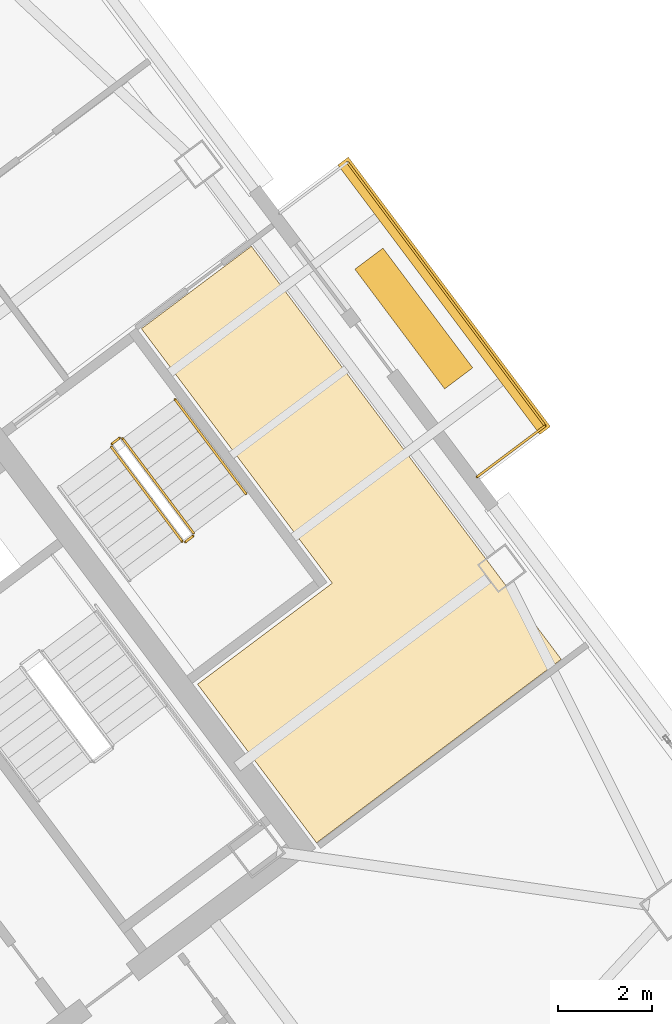
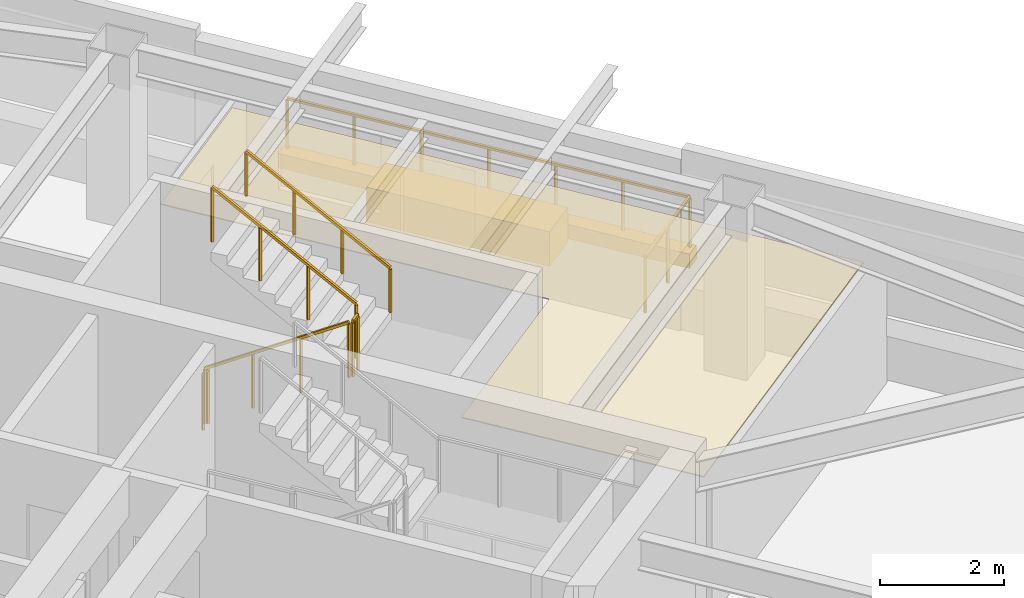
# One storey, part 38 of 39: 7 railings, 3 coverings.
"""IFC4 building model written with IfcOpenShell, lengths in metres."""

from ifc_helpers import new_model, si_unit, direction, frame, origin, origin_2d, place, context, subcontext, project, spatial, polyline, rectangle, outline, extrude, material, layer, layer_set, type_object, element, save


model = new_model("IFC4")

# Units and contexts
model_context = context("Model", 3, precision=1e-05, world=origin(), true_north=direction((0.0, 1.0)))
body_context = subcontext(model_context, "Body", "Model", "MODEL_VIEW")
ifc_project = project(units=[si_unit("LENGTHUNIT", "METRE"), si_unit("AREAUNIT", "SQUARE_METRE"), si_unit("VOLUMEUNIT", "CUBIC_METRE"), si_unit("PLANEANGLEUNIT", "RADIAN"), si_unit("MASSUNIT", "GRAM", prefix="KILO")], contexts=[model_context])

# Site, building, storey
site_placement = place(None, origin())
site = spatial("IfcSite", under=ifc_project, at=site_placement, CompositionType="ELEMENT")
building_placement = place(site_placement, origin())
building = spatial("IfcBuilding", under=site, at=building_placement, Name="Tashvorn Skyway Center", CompositionType="ELEMENT")
storey_placement = place(building_placement, frame((0.0, 0.0, 214.85009765625)))
storey = spatial("IfcBuildingStorey", under=building, at=storey_placement, Name="L58", CompositionType="ELEMENT", Elevation=214.85009765625)

# Coverings
ifc_material_1 = material(Name="Mineral-fibre acoustic ceiling tile on suspended grid")
ifc_layer_1 = layer(ifc_material_1, 0.02001953125)
ifc_layer_set_1 = layer_set([ifc_layer_1], Name="Mineral-fibre acoustic ceiling tile on suspended grid")
covering_type_1 = type_object("IfcCoveringType", Name="COV-CEIL-20", PredefinedType="CEILING", material=ifc_layer_set_1)
covering_1_placement = place(storey_placement, frame((0.0, 0.0, 2.702880859375)))
element("IfcCovering", 1, at=covering_1_placement, inside=storey, type_object=covering_type_1, Name="Tower 2 L58 Catering Pantry Acoustic Ceiling", PredefinedType="CEILING", context=body_context, shape_type="SweptSolid", body=[
    extrude(outline(polyline([(125.159912109375, 30.719970703125), (122.615966796875, 34.112060546875), (125.49609375, 36.27197265625), (121.416015625, 41.7119140625), (123.76806640625, 43.47607421875), (127.847900390625, 38.035888671875), (130.39208984375, 34.64404296875), (125.159912109375, 30.719970703125)])), origin(), (0.0, 0.0, 1.0), 0.02001953125),
])
ifc_material_2 = material(Name="Precast concrete C40/50", Category="concrete")
ifc_layer_2 = layer(ifc_material_2, 0.35009765625)
ifc_layer_set_2 = layer_set([ifc_layer_2], Name="Precast concrete C40/50")
covering_type_2 = type_object("IfcCoveringType", Name="COV-STONE-TRIM", PredefinedType="CLADDING", material=ifc_layer_set_2)
covering_2_placement = place(storey_placement, frame((127.887939453125, 42.416015625, -0.16015625), z_axis=(0.0, 0.0, 1.0), x_axis=(0.600000004945, -0.799999996291, 0.0)))
element("IfcCovering", 2, at=covering_2_placement, inside=storey, type_object=covering_type_2, Name="Tower 2 L58 Spiral Terrace Terracotta Fascia", PredefinedType="CLADDING", context=body_context, shape_type="SweptSolid", body=[
    extrude(rectangle(XDim=7.199951171875, YDim=0.280029296875, at=origin_2d()), origin(), (0.0, 0.0, 1.0), 0.280029296875),
])
covering_3_placement = place(storey_placement, frame((127.239990234375, 41.929931640625, 0.0), z_axis=(0.0, 0.0, 1.0), x_axis=(0.600000004945, -0.799999996291, 0.0)))
element("IfcCovering", 3, at=covering_3_placement, inside=storey, type_object=covering_type_2, Name="Tower 2 L58 Spiral Terrace Planter", PredefinedType="CLADDING", context=body_context, shape_type="SweptSolid", body=[
    extrude(rectangle(XDim=3.199951171875, YDim=0.75, at=origin_2d()), origin(), (0.0, 0.0, 1.0), 0.679931640625),
])

# Railings
ifc_material_3 = material(Name="Galvanized steel S355", Category="steel")
railing_type_1 = type_object("IfcRailingType", Name="RAIL-GUARD-1120", PredefinedType="GUARDRAIL", material=ifc_material_3)
railing_1_placement = place(storey_placement, frame((128.592041015625, 38.5439453125, 0.0)))
element("IfcRailing", 4, at=railing_1_placement, inside=storey, type_object=railing_type_1, Name="L58 Tower 2 Terrace Guardrail 01", PredefinedType="GUARDRAIL", context=body_context, shape_type="SweptSolid", body=[
    extrude(rectangle(XDim=0.048095703125, YDim=0.048095703125, at=origin_2d()), frame((0.0, 0.0, 1.09619140625), z_axis=(0.8, 0.6, 0.0), x_axis=(-0.6, 0.8, 0.0)), (0.0, 0.0, 1.0), 1.820068359375),
    extrude(rectangle(XDim=0.0419921875, YDim=0.0419921875, at=origin_2d()), origin(), (0.0, 0.0, 1.0), 1.072021484375),
    extrude(rectangle(XDim=0.0419921875, YDim=0.0419921875, at=origin_2d()), frame((0.72802734375, 0.5458984375, 0.0)), (0.0, 0.0, 1.0), 1.072021484375),
    extrude(rectangle(XDim=0.0419921875, YDim=0.0419921875, at=origin_2d()), frame((1.4560546875, 1.092041015625, 0.0)), (0.0, 0.0, 1.0), 1.072021484375),
])
railing_2_placement = place(storey_placement, frame((130.048095703125, 39.635986328125, 0.0)))
element("IfcRailing", 5, at=railing_2_placement, inside=storey, type_object=railing_type_1, Name="L58 Tower 2 Terrace Guardrail 02", PredefinedType="GUARDRAIL", context=body_context, shape_type="SweptSolid", body=[
    extrude(rectangle(XDim=0.048095703125, YDim=0.048095703125, at=origin_2d()), frame((0.0, 0.0, 1.09619140625), z_axis=(-0.600005548528, 0.799995838574, 0.0), x_axis=(-0.799995838574, -0.600005548528, 0.0)), (0.0, 0.0, 1.0), 7.0400390625),
    extrude(rectangle(XDim=0.0419921875, YDim=0.0419921875, at=origin_2d()), origin(), (0.0, 0.0, 1.0), 1.072021484375),
    extrude(rectangle(XDim=0.0419921875, YDim=0.0419921875, at=origin_2d()), frame((-0.7041015625, 0.938720703125, 0.0)), (0.0, 0.0, 1.0), 1.072021484375),
    extrude(rectangle(XDim=0.0419921875, YDim=0.0419921875, at=origin_2d()), frame((-1.407958984375, 1.87744140625, 0.0)), (0.0, 0.0, 1.0), 1.072021484375),
    extrude(rectangle(XDim=0.0419921875, YDim=0.0419921875, at=origin_2d()), frame((-2.112060546875, 2.81591796875, 0.0)), (0.0, 0.0, 1.0), 1.072021484375),
    extrude(rectangle(XDim=0.0419921875, YDim=0.0419921875, at=origin_2d()), frame((-2.816162109375, 3.754638671875, 0.0)), (0.0, 0.0, 1.0), 1.072021484375),
    extrude(rectangle(XDim=0.0419921875, YDim=0.0419921875, at=origin_2d()), frame((-3.52001953125, 4.693359375, 0.0)), (0.0, 0.0, 1.0), 1.072021484375),
    extrude(rectangle(XDim=0.0419921875, YDim=0.0419921875, at=origin_2d()), frame((-4.22412109375, 5.632080078125, 0.0)), (0.0, 0.0, 1.0), 1.072021484375),
])
ifc_material_4 = material(Name="Brushed stainless steel 316", Category="steel")
railing_type_2 = type_object("IfcRailingType", Name="RAIL-HAND-920", PredefinedType="HANDRAIL", material=ifc_material_4)
railing_3_placement = place(storey_placement, frame((123.64794921875, 38.18603515625, 1.952392578125)))
element("IfcRailing", 6, at=railing_3_placement, inside=storey, type_object=railing_type_2, Name="L58 ST-T2-3 stair handrail 2", PredefinedType="HANDRAIL", context=body_context, shape_type="SweptSolid", body=[
    extrude(rectangle(XDim=0.048095703125, YDim=0.048095703125, at=origin_2d()), frame((0.0, 0.0, 0.8759765625), z_axis=(-0.506768818287, 0.675664481285, 0.535409071218), x_axis=(-0.79998837352, -0.60001550166, 0.0)), (0.0, 0.0, 1.0), 2.983642578125),
    extrude(rectangle(XDim=0.0419921875, YDim=0.0419921875, at=origin_2d()), origin(), (0.0, 0.0, 1.0), 0.851806640625),
    extrude(rectangle(XDim=0.0419921875, YDim=0.0419921875, at=origin_2d()), frame((-0.50390625, 0.671875, 0.532470703125)), (0.0, 0.0, 1.0), 0.851806640625),
    extrude(rectangle(XDim=0.0419921875, YDim=0.0419921875, at=origin_2d()), frame((-1.008056640625, 1.343994140625, 1.06494140625)), (0.0, 0.0, 1.0), 0.851806640625),
    extrude(rectangle(XDim=0.0419921875, YDim=0.0419921875, at=origin_2d()), frame((-1.511962890625, 2.015869140625, 1.597412109375)), (0.0, 0.0, 1.0), 0.851806640625),
])
ifc_material_5 = material(Name="Painted galvanized steel S355", Category="steel")
railing_type_3 = type_object("IfcRailingType", Name="RAIL-STGUARD-1100", PredefinedType="GUARDRAIL", material=ifc_material_5)
railing_4_placement = place(storey_placement, frame((120.77587890625, 39.181884765625, 0.177490234375)))
element("IfcRailing", 7, at=railing_4_placement, inside=storey, type_object=railing_type_3, Name="L58 ST-T2-3 stair guard 1", PredefinedType="GUARDRAIL", context=body_context, shape_type="SweptSolid", body=[
    extrude(rectangle(XDim=0.048095703125, YDim=0.048095703125, at=origin_2d()), frame((0.0, 0.0, 1.076171875), z_axis=(0.506829628838, -0.67563646195, 0.535386868177), x_axis=(0.799941867976, 0.600077501544, 0.0)), (0.0, 0.0, 1.0), 2.983642578125),
    extrude(rectangle(XDim=0.0419921875, YDim=0.0419921875, at=origin_2d()), origin(), (0.0, 0.0, 1.0), 1.052001953125),
    extrude(rectangle(XDim=0.0419921875, YDim=0.0419921875, at=origin_2d()), frame((0.504150390625, -0.671875, 0.532470703125)), (0.0, 0.0, 1.0), 1.052001953125),
    extrude(rectangle(XDim=0.0419921875, YDim=0.0419921875, at=origin_2d()), frame((1.008056640625, -1.343994140625, 1.06494140625)), (0.0, 0.0, 1.0), 1.052001953125),
    extrude(rectangle(XDim=0.0419921875, YDim=0.0419921875, at=origin_2d()), frame((1.51220703125, -2.015869140625, 1.597412109375)), (0.0, 0.0, 1.0), 1.052001953125),
])
railing_5_placement = place(storey_placement, frame((122.35791015625, 37.156005859375, 1.77490234375)))
element("IfcRailing", 8, at=railing_5_placement, inside=storey, type_object=railing_type_3, Name="L58 ST-T2-3 stair guard 2", PredefinedType="GUARDRAIL", context=body_context, shape_type="SweptSolid", body=[
    extrude(rectangle(XDim=0.048095703125, YDim=0.048095703125, at=origin_2d()), frame((0.0, 0.0, 1.076171875), z_axis=(0.800585412921, 0.599218655098, 0.0), x_axis=(-0.599218655098, 0.800585412921, 0.0)), (0.0, 0.0, 1.0), 0.199951171875),
    extrude(rectangle(XDim=0.0419921875, YDim=0.0419921875, at=origin_2d()), origin(), (0.0, 0.0, 1.0), 1.052001953125),
    extrude(rectangle(XDim=0.0419921875, YDim=0.0419921875, at=origin_2d()), frame((0.16015625, 0.119873046875, 0.0)), (0.0, 0.0, 1.0), 1.052001953125),
])
railing_6_placement = place(storey_placement, frame((122.528076171875, 37.345947265625, 1.952392578125)))
element("IfcRailing", 9, at=railing_6_placement, inside=storey, type_object=railing_type_3, Name="L58 ST-T2-3 stair guard 3", PredefinedType="GUARDRAIL", context=body_context, shape_type="SweptSolid", body=[
    extrude(rectangle(XDim=0.048095703125, YDim=0.048095703125, at=origin_2d()), frame((0.0, 0.0, 1.076171875), z_axis=(-0.506740800098, 0.675708949977, 0.535379469569), x_axis=(-0.800023250257, -0.599968998406, 0.0)), (0.0, 0.0, 1.0), 2.983642578125),
    extrude(rectangle(XDim=0.0419921875, YDim=0.0419921875, at=origin_2d()), origin(), (0.0, 0.0, 1.0), 1.052001953125),
    extrude(rectangle(XDim=0.0419921875, YDim=0.0419921875, at=origin_2d()), frame((-0.50390625, 0.672119140625, 0.532470703125)), (0.0, 0.0, 1.0), 1.052001953125),
    extrude(rectangle(XDim=0.0419921875, YDim=0.0419921875, at=origin_2d()), frame((-1.008056640625, 1.343994140625, 1.06494140625)), (0.0, 0.0, 1.0), 1.052001953125),
    extrude(rectangle(XDim=0.0419921875, YDim=0.0419921875, at=origin_2d()), frame((-1.511962890625, 2.01611328125, 1.597412109375)), (0.0, 0.0, 1.0), 1.052001953125),
])
railing_7_placement = place(storey_placement, frame((120.785888671875, 39.251953125, 0.0)))
element("IfcRailing", 10, at=railing_7_placement, inside=storey, type_object=railing_type_3, Name="L58 ST-T2-3 stair guard 4", PredefinedType="GUARDRAIL", context=body_context, shape_type="SweptSolid", body=[
    extrude(rectangle(XDim=0.048095703125, YDim=0.048095703125, at=origin_2d()), frame((0.0, 0.0, 1.076171875), z_axis=(0.8, 0.6, 0.0), x_axis=(-0.6, 0.8, 0.0)), (0.0, 0.0, 1.0), 0.2001953125),
    extrude(rectangle(XDim=0.0419921875, YDim=0.0419921875, at=origin_2d()), origin(), (0.0, 0.0, 1.0), 1.052001953125),
    extrude(rectangle(XDim=0.0419921875, YDim=0.0419921875, at=origin_2d()), frame((0.16015625, 0.1201171875, 0.0)), (0.0, 0.0, 1.0), 1.052001953125),
])

save(model, "model.ifc")
